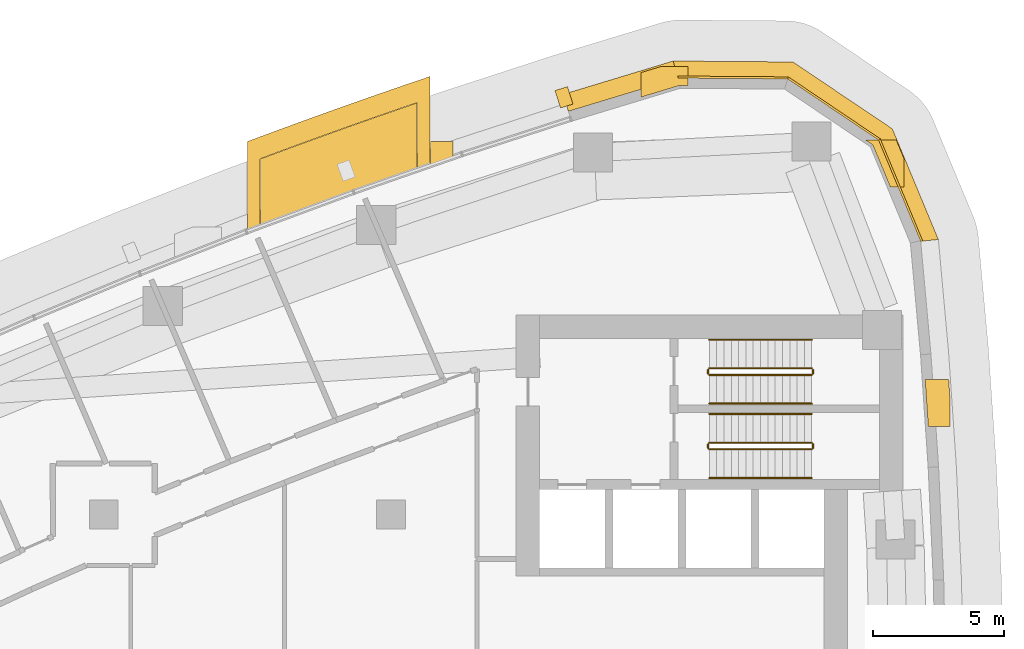
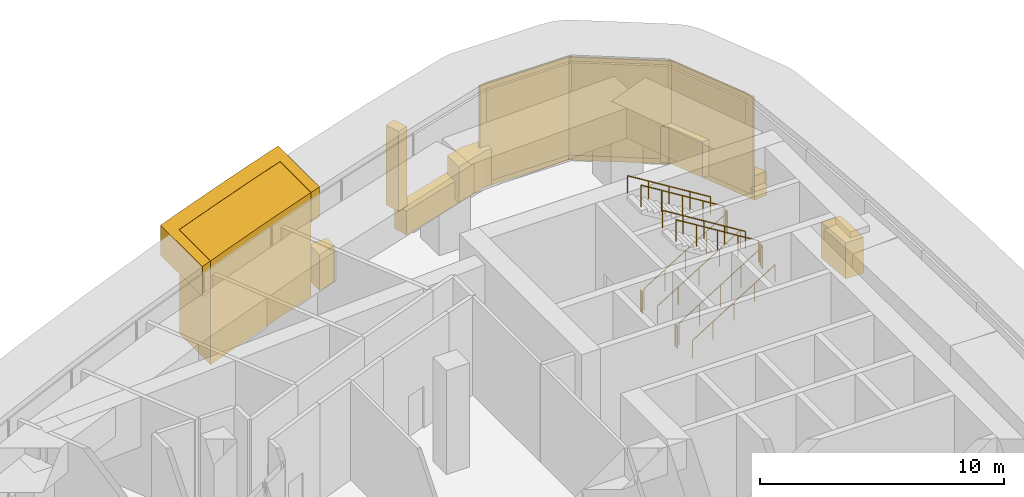
# One storey, part 18 of 18: 12 coverings, 12 railings.
"""IFC4 building model written with IfcOpenShell, lengths in metres."""

from ifc_helpers import new_model, si_unit, direction, frame, frame_2d, origin, origin_2d, place, context, subcontext, project, spatial, polyline, rectangle, circle, outline, extrude, material, layer, layer_set, type_object, element, save


model = new_model("IFC4")

# Units and contexts
model_context = context("Model", 3, precision=1e-05, world=origin(), true_north=direction((0.0, 1.0)))
body_context = subcontext(model_context, "Body", "Model", "MODEL_VIEW")
ifc_project = project(units=[si_unit("LENGTHUNIT", "METRE"), si_unit("AREAUNIT", "SQUARE_METRE"), si_unit("VOLUMEUNIT", "CUBIC_METRE"), si_unit("PLANEANGLEUNIT", "RADIAN"), si_unit("MASSUNIT", "GRAM", prefix="KILO")], contexts=[model_context])

# Site, building, storey
site_placement = place(None, origin())
site = spatial("IfcSite", under=ifc_project, at=site_placement, CompositionType="ELEMENT")
building_placement = place(site_placement, origin())
building = spatial("IfcBuilding", under=site, at=building_placement, Name="Ostrand Prow Hotel Tower", CompositionType="ELEMENT")
storey_placement = place(building_placement, frame((0.0, 0.0, 165.699951171875)))
storey = spatial("IfcBuildingStorey", under=building, at=storey_placement, Name="L41", CompositionType="ELEMENT", Elevation=165.699951171875)

# Coverings
ifc_material_1 = material(Name="Limestone cladding", Category="masonry")
ifc_layer_1 = layer(ifc_material_1, 2.0)
ifc_layer_set_1 = layer_set([ifc_layer_1], Name="Limestone cladding")
covering_type_1 = type_object("IfcCoveringType", Name="Belt lip limestone", PredefinedType="CLADDING", material=ifc_layer_set_1)
covering_1_placement = place(storey_placement, origin())
element("IfcCovering", 1, at=covering_1_placement, inside=storey, type_object=covering_type_1, Name="Belt fin 12 L41", PredefinedType="CLADDING", context=body_context, shape_type="SweptSolid", body=[
    extrude(outline(polyline([(66.427490234375, 13.300048828125), (66.368408203125, 14.16943359375), (65.46630859375, 14.16943359375), (65.588623046875, 12.369384765625), (66.427490234375, 12.369384765625), (66.427490234375, 13.300048828125)])), origin(), (0.0, 0.0, 1.0), 1.800048828125),
])
covering_2_placement = place(storey_placement, origin())
element("IfcCovering", 2, at=covering_2_placement, inside=storey, type_object=covering_type_1, Name="Belt fin 13 L41", PredefinedType="CLADDING", context=body_context, shape_type="SweptSolid", body=[
    extrude(outline(polyline([(64.656982421875, 22.6337890625), (64.357421875, 23.354248046875), (63.177734375, 23.354248046875), (63.46240234375, 23.16259765625), (64.131103515625, 21.55419921875), (64.656982421875, 21.55419921875), (64.656982421875, 22.6337890625)])), origin(), (0.0, 0.0, 1.0), 1.800048828125),
])
covering_3_placement = place(storey_placement, origin())
element("IfcCovering", 3, at=covering_3_placement, inside=storey, type_object=covering_type_1, Name="Belt fin 14 L41", PredefinedType="CLADDING", context=body_context, shape_type="SweptSolid", body=[
    extrude(outline(polyline([(55.353271484375, 26.16552734375), (54.5869140625, 25.93310546875), (54.5869140625, 24.99267578125), (56.082763671875, 25.4462890625), (56.38671875, 25.44384765625), (56.38671875, 26.16552734375), (55.353271484375, 26.16552734375)])), origin(), (0.0, 0.0, 1.0), 1.800048828125),
])
covering_4_placement = place(storey_placement, origin())
element("IfcCovering", 4, at=covering_4_placement, inside=storey, type_object=covering_type_1, Name="Belt fin 15 L41", PredefinedType="CLADDING", context=body_context, shape_type="SweptSolid", body=[
    extrude(outline(polyline([(46.5068359375, 22.396484375), (47.37939453125, 22.699951171875), (47.37939453125, 23.287109375), (46.510009765625, 23.287109375), (46.510009765625, 22.40380859375), (46.510009765625, 22.40283203125), (46.509765625, 22.40185546875), (46.509521484375, 22.40087890625), (46.50927734375, 22.400146484375), (46.5087890625, 22.399169921875), (46.50830078125, 22.3984375), (46.5078125, 22.397705078125), (46.507080078125, 22.39697265625), (46.5068359375, 22.396484375)])), origin(), (0.0, 0.0, 1.0), 1.800048828125),
])
ifc_material_2 = material(Name="Bronze anodised aluminium cladding", Category="aluminium")
ifc_layer_2 = layer(ifc_material_2, 0.60009765625)
ifc_layer_set_2 = layer_set([ifc_layer_2], Name="Bronze anodised aluminium cladding")
covering_type_2 = type_object("IfcCoveringType", Name="Bronze spandrel band 1200x600", PredefinedType="CLADDING", material=ifc_layer_set_2)
covering_5_placement = place(storey_placement, frame((0.0, 0.0, -0.300048828125)))
element("IfcCovering", 5, at=covering_5_placement, inside=storey, type_object=covering_type_2, Name="Spandrel band back 4", PredefinedType="CLADDING", context=body_context, shape_type="SweptSolid", body=[
    extrude(outline(polyline([(65.973388671875, 19.53662109375), (64.211181640625, 23.77587890625), (60.402099609375, 26.339111328125), (55.811279296875, 26.375244140625), (55.9794921875, 25.79931640625), (60.224853515625, 25.76611328125), (63.746826171875, 23.395751953125), (65.37646484375, 19.4755859375), (65.973388671875, 19.53662109375)])), origin(), (0.0, 0.0, 1.0), 1.2001953125),
])
covering_6_placement = place(storey_placement, frame((0.0, 0.0, -0.300048828125)))
element("IfcCovering", 6, at=covering_6_placement, inside=storey, type_object=covering_type_2, Name="Spandrel band back 5", PredefinedType="CLADDING", context=body_context, shape_type="SweptSolid", body=[
    extrude(outline(polyline([(55.811279296875, 26.375244140625), (51.594970703125, 25.0966796875), (51.798828125, 24.447998046875), (56.001953125, 25.722412109375), (55.811279296875, 26.375244140625)])), origin(), (0.0, 0.0, 1.0), 1.2001953125),
])
ifc_material_3 = material(Name="Limestone cladding", Category="masonry")
ifc_layer_3 = layer(ifc_material_3, 5.0)
ifc_layer_set_3 = layer_set([ifc_layer_3], Name="Limestone cladding")
covering_type_3 = type_object("IfcCoveringType", Name="Portal jamb pilaster limestone", PredefinedType="CLADDING", material=ifc_layer_set_3)
covering_7_placement = place(storey_placement, origin())
element("IfcCovering", 7, at=covering_7_placement, inside=storey, type_object=covering_type_3, Name="Portal jamb NB L41", PredefinedType="CLADDING", context=body_context, shape_type="SweptSolid", body=[
    extrude(outline(polyline([(40.0, 20.058349609375), (41.0, 20.434326171875), (42.0, 20.804931640625), (43.0, 21.169921875), (44.0, 21.529296875), (45.0, 21.883056640625), (46.0, 22.231689453125), (46.0, 24.769287109375), (45.0, 24.425048828125), (44.0, 24.075439453125), (43.0, 23.720458984375), (42.0, 23.360107421875), (41.0, 22.994140625), (40.0, 22.622802734375), (40.0, 20.058349609375)])), origin(), (0.0, 0.0, 1.0), 5.199951171875),
])
ifc_material_4 = material(Name="Limestone cladding", Category="masonry")
ifc_layer_4 = layer(ifc_material_4, 4.0)
ifc_layer_set_4 = layer_set([ifc_layer_4], Name="Limestone cladding")
covering_type_4 = type_object("IfcCoveringType", Name="Portal lintel limestone", PredefinedType="CLADDING", material=ifc_layer_set_4)
covering_8_placement = place(storey_placement, frame((0.0, 0.0, 3.699951171875)))
element("IfcCovering", 8, at=covering_8_placement, inside=storey, type_object=covering_type_4, Name="Portal jamb cap NB L41", PredefinedType="CLADDING", context=body_context, shape_type="SweptSolid", body=[
    extrude(outline(polyline([(39.5, 23.289794921875), (39.5, 19.8681640625), (39.990966796875, 20.05419921875), (39.99072265625, 20.0546875), (39.990478515625, 20.055419921875), (39.990234375, 20.056396484375), (39.989990234375, 20.057373046875), (39.989990234375, 20.058349609375), (39.989990234375, 22.622802734375), (39.989990234375, 22.623779296875), (39.990234375, 22.624755859375), (39.990478515625, 22.625732421875), (39.99072265625, 22.626708984375), (39.9912109375, 22.627685546875), (39.99169921875, 22.62841796875), (39.992431640625, 22.62939453125), (39.9931640625, 22.630126953125), (39.993896484375, 22.630615234375), (39.99462890625, 22.63134765625), (39.99560546875, 22.6318359375), (39.99658203125, 22.632080078125), (40.99658203125, 23.003662109375), (40.99658203125, 23.003662109375), (41.99658203125, 23.369384765625), (41.99658203125, 23.369384765625), (42.99658203125, 23.72998046875), (42.99658203125, 23.72998046875), (43.99658203125, 24.0849609375), (43.99658203125, 24.0849609375), (44.99658203125, 24.4345703125), (44.99658203125, 24.4345703125), (45.99658203125, 24.77880859375), (45.997802734375, 24.779052734375), (45.998779296875, 24.779296875), (45.999755859375, 24.779296875), (46.000732421875, 24.779296875), (46.001708984375, 24.779296875), (46.002685546875, 24.779052734375), (46.003662109375, 24.77880859375), (46.00439453125, 24.7783203125), (46.00537109375, 24.77783203125), (46.006103515625, 24.777099609375), (46.007080078125, 24.776611328125), (46.007568359375, 24.77587890625), (46.00830078125, 24.77490234375), (46.0087890625, 24.774169921875), (46.00927734375, 24.773193359375), (46.009521484375, 24.772216796875), (46.009765625, 24.771240234375), (46.010009765625, 24.7705078125), (46.010009765625, 24.769287109375), (46.010009765625, 22.234375), (46.5, 22.40380859375), (46.5, 25.783935546875), (45.5, 25.44384765625), (44.5, 25.098388671875), (43.5, 24.747314453125), (42.5, 24.39111328125), (41.5, 24.029541015625), (40.5, 23.662353515625), (39.5, 23.289794921875)])), origin(), (0.0, 0.0, 1.0), 1.5),
])
ifc_material_5 = material(Name="Limestone cladding", Category="masonry")
ifc_layer_5 = layer(ifc_material_5, 0.5)
ifc_layer_set_5 = layer_set([ifc_layer_5], Name="Limestone cladding")
covering_type_5 = type_object("IfcCoveringType", Name="Precast stone fin 500x600", PredefinedType="CLADDING", material=ifc_layer_set_5)
covering_9_placement = place(storey_placement, frame((51.7353515625, 24.650390625, 0.900146484375), z_axis=(0.0, 0.0, 1.0), x_axis=(-0.299962638808, 0.953950950164, 0.0)))
element("IfcCovering", 9, at=covering_9_placement, inside=storey, type_object=covering_type_5, Name="Stone fin N 1", PredefinedType="CLADDING", context=body_context, shape_type="SweptSolid", body=[
    extrude(rectangle(XDim=0.699951171875, YDim=0.5, at=frame_2d((0.35009765625, 0.0))), origin(), (0.0, 0.0, 1.0), 4.0),
])

# Railings
ifc_material_6 = material(Name="Painted steel", Category="steel")
railing_type_1 = type_object("IfcRailingType", Name="Stair guard 1100", PredefinedType="GUARDRAIL", material=ifc_material_6)
railing_1_placement = place(storey_placement, frame((57.199951171875, 11.5, 0.17333984375)))
element("IfcRailing", 10, at=railing_1_placement, inside=storey, type_object=railing_type_1, Name="L41 ST1C stair guard 1", PredefinedType="GUARDRAIL", context=body_context, shape_type="SweptSolid", body=[
    extrude(circle(Radius=0.02392578125, at=origin_2d()), frame((0.0, 0.0, 1.076171875), z_axis=(0.850266275192, 0.0, 0.526352791643), x_axis=(0.0, 1.0, 0.0)), (0.0, 0.0, 1.0), 4.610595703125),
    extrude(circle(Radius=0.02099609375, at=origin_2d()), origin(), (0.0, 0.0, 1.0), 1.052001953125),
    extrude(circle(Radius=0.02099609375, at=origin_2d()), frame((0.97998046875, 0.0, 0.606689453125)), (0.0, 0.0, 1.0), 1.052001953125),
    extrude(circle(Radius=0.02099609375, at=origin_2d()), frame((1.9599609375, 0.0, 1.21337890625)), (0.0, 0.0, 1.0), 1.052001953125),
    extrude(circle(Radius=0.02099609375, at=origin_2d()), frame((2.940185546875, 0.0, 1.820068359375)), (0.0, 0.0, 1.0), 1.052001953125),
    extrude(circle(Radius=0.02099609375, at=origin_2d()), frame((3.920166015625, 0.0, 2.4267578125)), (0.0, 0.0, 1.0), 1.052001953125),
])
railing_2_placement = place(storey_placement, frame((61.169921875, 11.550048828125, 2.60009765625)))
element("IfcRailing", 11, at=railing_2_placement, inside=storey, type_object=railing_type_1, Name="L41 ST1C stair guard 2", PredefinedType="GUARDRAIL", context=body_context, shape_type="SweptSolid", body=[
    extrude(circle(Radius=0.02392578125, at=origin_2d()), frame((0.0, 0.0, 1.076171875), z_axis=(0.0, 1.0, 0.0), x_axis=(-1.0, 0.0, 0.0)), (0.0, 0.0, 1.0), 0.14990234375),
    extrude(circle(Radius=0.02099609375, at=origin_2d()), origin(), (0.0, 0.0, 1.0), 1.052001953125),
    extrude(circle(Radius=0.02099609375, at=origin_2d()), frame((0.0, 0.14990234375, 0.0)), (0.0, 0.0, 1.0), 1.052001953125),
])
railing_3_placement = place(storey_placement, frame((61.1201171875, 11.75, 2.7734375)))
element("IfcRailing", 12, at=railing_3_placement, inside=storey, type_object=railing_type_1, Name="L41 ST1C stair guard 3", PredefinedType="GUARDRAIL", context=body_context, shape_type="SweptSolid", body=[
    extrude(circle(Radius=0.02392578125, at=origin_2d()), frame((0.0, 0.0, 1.076171875), z_axis=(-0.850289973577, 0.0, 0.526314507528), x_axis=(0.0, -1.0, 0.0)), (0.0, 0.0, 1.0), 4.6103515625),
    extrude(circle(Radius=0.02099609375, at=origin_2d()), origin(), (0.0, 0.0, 1.0), 1.052001953125),
    extrude(circle(Radius=0.02099609375, at=origin_2d()), frame((-0.97998046875, 0.0, 0.606689453125)), (0.0, 0.0, 1.0), 1.052001953125),
    extrude(circle(Radius=0.02099609375, at=origin_2d()), frame((-1.9599609375, 0.0, 1.21337890625)), (0.0, 0.0, 1.0), 1.052001953125),
    extrude(circle(Radius=0.02099609375, at=origin_2d()), frame((-2.940185546875, 0.0, 1.81982421875)), (0.0, 0.0, 1.0), 1.052001953125),
    extrude(circle(Radius=0.02099609375, at=origin_2d()), frame((-3.920166015625, 0.0, 2.426513671875)), (0.0, 0.0, 1.0), 1.052001953125),
])
railing_4_placement = place(storey_placement, frame((57.14990234375, 11.550048828125, 0.0)))
element("IfcRailing", 13, at=railing_4_placement, inside=storey, type_object=railing_type_1, Name="L41 ST1C stair guard 4", PredefinedType="GUARDRAIL", context=body_context, shape_type="SweptSolid", body=[
    extrude(circle(Radius=0.02392578125, at=origin_2d()), frame((0.0, 0.0, 1.076171875), z_axis=(0.0, 1.0, 0.0), x_axis=(-1.0, 0.0, 0.0)), (0.0, 0.0, 1.0), 0.14990234375),
    extrude(circle(Radius=0.02099609375, at=origin_2d()), origin(), (0.0, 0.0, 1.0), 1.052001953125),
    extrude(circle(Radius=0.02099609375, at=origin_2d()), frame((0.0, 0.14990234375, 0.0)), (0.0, 0.0, 1.0), 1.052001953125),
])
railing_5_placement = place(storey_placement, frame((57.199951171875, 14.35009765625, 0.17333984375)))
element("IfcRailing", 14, at=railing_5_placement, inside=storey, type_object=railing_type_1, Name="L41 ST3C stair guard 1", PredefinedType="GUARDRAIL", context=body_context, shape_type="SweptSolid", body=[
    extrude(circle(Radius=0.02392578125, at=origin_2d()), frame((0.0, 0.0, 1.076171875), z_axis=(0.850266275192, 0.0, 0.526352791643), x_axis=(0.0, 1.0, 0.0)), (0.0, 0.0, 1.0), 4.610595703125),
    extrude(circle(Radius=0.02099609375, at=origin_2d()), origin(), (0.0, 0.0, 1.0), 1.052001953125),
    extrude(circle(Radius=0.02099609375, at=origin_2d()), frame((0.97998046875, 0.0, 0.606689453125)), (0.0, 0.0, 1.0), 1.052001953125),
    extrude(circle(Radius=0.02099609375, at=origin_2d()), frame((1.9599609375, 0.0, 1.21337890625)), (0.0, 0.0, 1.0), 1.052001953125),
    extrude(circle(Radius=0.02099609375, at=origin_2d()), frame((2.940185546875, 0.0, 1.820068359375)), (0.0, 0.0, 1.0), 1.052001953125),
    extrude(circle(Radius=0.02099609375, at=origin_2d()), frame((3.920166015625, 0.0, 2.4267578125)), (0.0, 0.0, 1.0), 1.052001953125),
])
railing_6_placement = place(storey_placement, frame((61.169921875, 14.39990234375, 2.60009765625)))
element("IfcRailing", 15, at=railing_6_placement, inside=storey, type_object=railing_type_1, Name="L41 ST3C stair guard 2", PredefinedType="GUARDRAIL", context=body_context, shape_type="SweptSolid", body=[
    extrude(circle(Radius=0.02392578125, at=origin_2d()), frame((0.0, 0.0, 1.076171875), z_axis=(0.0, 1.0, 0.0), x_axis=(-1.0, 0.0, 0.0)), (0.0, 0.0, 1.0), 0.150146484375),
    extrude(circle(Radius=0.02099609375, at=origin_2d()), origin(), (0.0, 0.0, 1.0), 1.052001953125),
    extrude(circle(Radius=0.02099609375, at=origin_2d()), frame((0.0, 0.150146484375, 0.0)), (0.0, 0.0, 1.0), 1.052001953125),
])
railing_7_placement = place(storey_placement, frame((61.1201171875, 14.60009765625, 2.7734375)))
element("IfcRailing", 16, at=railing_7_placement, inside=storey, type_object=railing_type_1, Name="L41 ST3C stair guard 3", PredefinedType="GUARDRAIL", context=body_context, shape_type="SweptSolid", body=[
    extrude(circle(Radius=0.02392578125, at=origin_2d()), frame((0.0, 0.0, 1.076171875), z_axis=(-0.850289973577, 0.0, 0.526314507528), x_axis=(0.0, -1.0, 0.0)), (0.0, 0.0, 1.0), 4.6103515625),
    extrude(circle(Radius=0.02099609375, at=origin_2d()), origin(), (0.0, 0.0, 1.0), 1.052001953125),
    extrude(circle(Radius=0.02099609375, at=origin_2d()), frame((-0.97998046875, 0.0, 0.606689453125)), (0.0, 0.0, 1.0), 1.052001953125),
    extrude(circle(Radius=0.02099609375, at=origin_2d()), frame((-1.9599609375, 0.0, 1.21337890625)), (0.0, 0.0, 1.0), 1.052001953125),
    extrude(circle(Radius=0.02099609375, at=origin_2d()), frame((-2.940185546875, 0.0, 1.81982421875)), (0.0, 0.0, 1.0), 1.052001953125),
    extrude(circle(Radius=0.02099609375, at=origin_2d()), frame((-3.920166015625, 0.0, 2.426513671875)), (0.0, 0.0, 1.0), 1.052001953125),
])
railing_8_placement = place(storey_placement, frame((57.14990234375, 14.39990234375, 0.0)))
element("IfcRailing", 17, at=railing_8_placement, inside=storey, type_object=railing_type_1, Name="L41 ST3C stair guard 4", PredefinedType="GUARDRAIL", context=body_context, shape_type="SweptSolid", body=[
    extrude(circle(Radius=0.02392578125, at=origin_2d()), frame((0.0, 0.0, 1.076171875), z_axis=(0.0, 1.0, 0.0), x_axis=(-1.0, 0.0, 0.0)), (0.0, 0.0, 1.0), 0.150146484375),
    extrude(circle(Radius=0.02099609375, at=origin_2d()), origin(), (0.0, 0.0, 1.0), 1.052001953125),
    extrude(circle(Radius=0.02099609375, at=origin_2d()), frame((0.0, 0.150146484375, 0.0)), (0.0, 0.0, 1.0), 1.052001953125),
])
ifc_material_7 = material(Name="Stainless steel", Category="steel")
railing_type_2 = type_object("IfcRailingType", Name="Stair handrail 900", PredefinedType="HANDRAIL", material=ifc_material_7)
railing_9_placement = place(storey_placement, frame((57.199951171875, 10.39990234375, 0.17333984375)))
element("IfcRailing", 18, at=railing_9_placement, inside=storey, type_object=railing_type_2, Name="L41 ST1C stair handrail 1", PredefinedType="HANDRAIL", context=body_context, shape_type="SweptSolid", body=[
    extrude(circle(Radius=0.02392578125, at=origin_2d()), frame((0.0, 0.0, 0.8759765625), z_axis=(0.850266275192, 0.0, 0.526352791643), x_axis=(0.0, 1.0, 0.0)), (0.0, 0.0, 1.0), 4.610595703125),
    extrude(circle(Radius=0.02099609375, at=origin_2d()), origin(), (0.0, 0.0, 1.0), 0.851806640625),
    extrude(circle(Radius=0.02099609375, at=origin_2d()), frame((0.97998046875, 0.0, 0.606689453125)), (0.0, 0.0, 1.0), 0.851806640625),
    extrude(circle(Radius=0.02099609375, at=origin_2d()), frame((1.9599609375, 0.0, 1.21337890625)), (0.0, 0.0, 1.0), 0.851806640625),
    extrude(circle(Radius=0.02099609375, at=origin_2d()), frame((2.940185546875, 0.0, 1.820068359375)), (0.0, 0.0, 1.0), 0.851806640625),
    extrude(circle(Radius=0.02099609375, at=origin_2d()), frame((3.920166015625, 0.0, 2.4267578125)), (0.0, 0.0, 1.0), 0.851806640625),
])
railing_10_placement = place(storey_placement, frame((61.1201171875, 12.85009765625, 2.7734375)))
element("IfcRailing", 19, at=railing_10_placement, inside=storey, type_object=railing_type_2, Name="L41 ST1C stair handrail 2", PredefinedType="HANDRAIL", context=body_context, shape_type="SweptSolid", body=[
    extrude(circle(Radius=0.02392578125, at=origin_2d()), frame((0.0, 0.0, 0.8759765625), z_axis=(-0.850289973577, 0.0, 0.526314507528), x_axis=(0.0, -1.0, 0.0)), (0.0, 0.0, 1.0), 4.6103515625),
    extrude(circle(Radius=0.02099609375, at=origin_2d()), origin(), (0.0, 0.0, 1.0), 0.851806640625),
    extrude(circle(Radius=0.02099609375, at=origin_2d()), frame((-0.97998046875, 0.0, 0.606689453125)), (0.0, 0.0, 1.0), 0.851806640625),
    extrude(circle(Radius=0.02099609375, at=origin_2d()), frame((-1.9599609375, 0.0, 1.21337890625)), (0.0, 0.0, 1.0), 0.851806640625),
    extrude(circle(Radius=0.02099609375, at=origin_2d()), frame((-2.940185546875, 0.0, 1.81982421875)), (0.0, 0.0, 1.0), 0.851806640625),
    extrude(circle(Radius=0.02099609375, at=origin_2d()), frame((-3.920166015625, 0.0, 2.426513671875)), (0.0, 0.0, 1.0), 0.851806640625),
])
railing_11_placement = place(storey_placement, frame((57.199951171875, 13.25, 0.17333984375)))
element("IfcRailing", 20, at=railing_11_placement, inside=storey, type_object=railing_type_2, Name="L41 ST3C stair handrail 1", PredefinedType="HANDRAIL", context=body_context, shape_type="SweptSolid", body=[
    extrude(circle(Radius=0.02392578125, at=origin_2d()), frame((0.0, 0.0, 0.8759765625), z_axis=(0.850266275192, 0.0, 0.526352791643), x_axis=(0.0, 1.0, 0.0)), (0.0, 0.0, 1.0), 4.610595703125),
    extrude(circle(Radius=0.02099609375, at=origin_2d()), origin(), (0.0, 0.0, 1.0), 0.851806640625),
    extrude(circle(Radius=0.02099609375, at=origin_2d()), frame((0.97998046875, 0.0, 0.606689453125)), (0.0, 0.0, 1.0), 0.851806640625),
    extrude(circle(Radius=0.02099609375, at=origin_2d()), frame((1.9599609375, 0.0, 1.21337890625)), (0.0, 0.0, 1.0), 0.851806640625),
    extrude(circle(Radius=0.02099609375, at=origin_2d()), frame((2.940185546875, 0.0, 1.820068359375)), (0.0, 0.0, 1.0), 0.851806640625),
    extrude(circle(Radius=0.02099609375, at=origin_2d()), frame((3.920166015625, 0.0, 2.4267578125)), (0.0, 0.0, 1.0), 0.851806640625),
])
railing_12_placement = place(storey_placement, frame((61.1201171875, 15.699951171875, 2.7734375)))
element("IfcRailing", 21, at=railing_12_placement, inside=storey, type_object=railing_type_2, Name="L41 ST3C stair handrail 2", PredefinedType="HANDRAIL", context=body_context, shape_type="SweptSolid", body=[
    extrude(circle(Radius=0.02392578125, at=origin_2d()), frame((0.0, 0.0, 0.8759765625), z_axis=(-0.850289973577, 0.0, 0.526314507528), x_axis=(0.0, -1.0, 0.0)), (0.0, 0.0, 1.0), 4.6103515625),
    extrude(circle(Radius=0.02099609375, at=origin_2d()), origin(), (0.0, 0.0, 1.0), 0.851806640625),
    extrude(circle(Radius=0.02099609375, at=origin_2d()), frame((-0.97998046875, 0.0, 0.606689453125)), (0.0, 0.0, 1.0), 0.851806640625),
    extrude(circle(Radius=0.02099609375, at=origin_2d()), frame((-1.9599609375, 0.0, 1.21337890625)), (0.0, 0.0, 1.0), 0.851806640625),
    extrude(circle(Radius=0.02099609375, at=origin_2d()), frame((-2.940185546875, 0.0, 1.81982421875)), (0.0, 0.0, 1.0), 0.851806640625),
    extrude(circle(Radius=0.02099609375, at=origin_2d()), frame((-3.920166015625, 0.0, 2.426513671875)), (0.0, 0.0, 1.0), 0.851806640625),
])

# Coverings
ifc_material_8 = material(Name="Limestone cladding", Category="masonry")
ifc_layer_6 = layer(ifc_material_8, 0.080078125)
ifc_layer_set_6 = layer_set([ifc_layer_6], Name="Limestone cladding")
covering_type_6 = type_object("IfcCoveringType", Name="Warm limestone cladding 80 mm", PredefinedType="CLADDING", material=ifc_layer_set_6)
covering_10_placement = place(storey_placement, frame((65.336669921875, 19.471435546875, 0.0), z_axis=(0.0, 0.0, 1.0), x_axis=(-0.383818742494, 0.923408453996, 0.0)))
element("IfcCovering", 22, at=covering_10_placement, inside=storey, type_object=covering_type_6, Name="Limestone cladding back 14", PredefinedType="CLADDING", context=body_context, shape_type="SweptSolid", body=[
    extrude(outline(polyline([(-0.006103515625, -0.0400390625), (4.234375, -0.0400390625), (4.21044921875, 0.0400390625), (0.006103515625, 0.0400390625), (-0.006103515625, -0.0400390625)])), origin(), (0.0, 0.0, 1.0), 4.900146484375),
])
covering_11_placement = place(storey_placement, frame((63.716064453125, 23.370361328125, 0.0), z_axis=(0.0, 0.0, 1.0), x_axis=(-0.829640794647, 0.558297547781, 0.0)))
element("IfcCovering", 23, at=covering_11_placement, inside=storey, type_object=covering_type_6, Name="Limestone cladding back 15", PredefinedType="CLADDING", context=body_context, shape_type="SweptSolid", body=[
    extrude(outline(polyline([(-0.011962890625, -0.0400390625), (4.234375, -0.0400390625), (4.21044921875, 0.0400390625), (0.011962890625, 0.0400390625), (-0.011962890625, -0.0400390625)])), origin(), (0.0, 0.0, 1.0), 4.900146484375),
])
covering_12_placement = place(storey_placement, frame((60.212890625, 25.727783203125, 0.0), z_axis=(0.0, 0.0, 1.0), x_axis=(-0.999969080193, 0.007863755921, 0.0)))
element("IfcCovering", 24, at=covering_12_placement, inside=storey, type_object=covering_type_6, Name="Limestone cladding back 16", PredefinedType="CLADDING", context=body_context, shape_type="SweptSolid", body=[
    extrude(outline(polyline([(-0.011962890625, -0.0400390625), (4.228515625, -0.0400390625), (4.21630859375, 0.0400390625), (0.011962890625, 0.0400390625), (-0.011962890625, -0.0400390625)])), origin(), (0.0, 0.0, 1.0), 4.900146484375),
])

save(model, "model.ifc")
